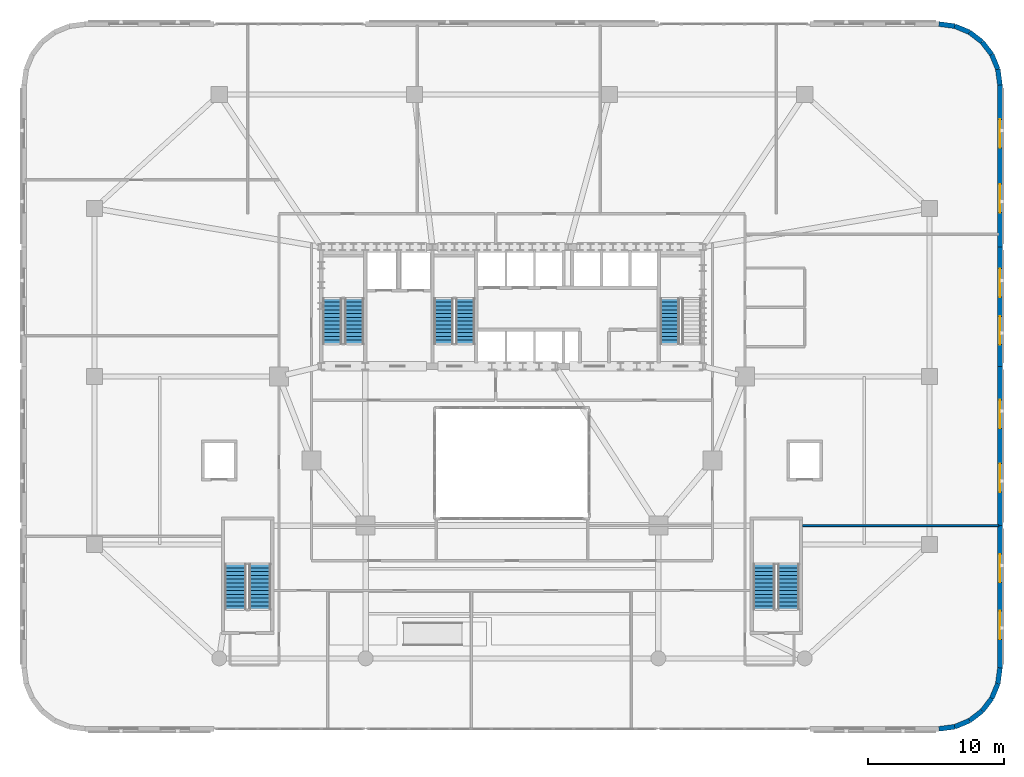
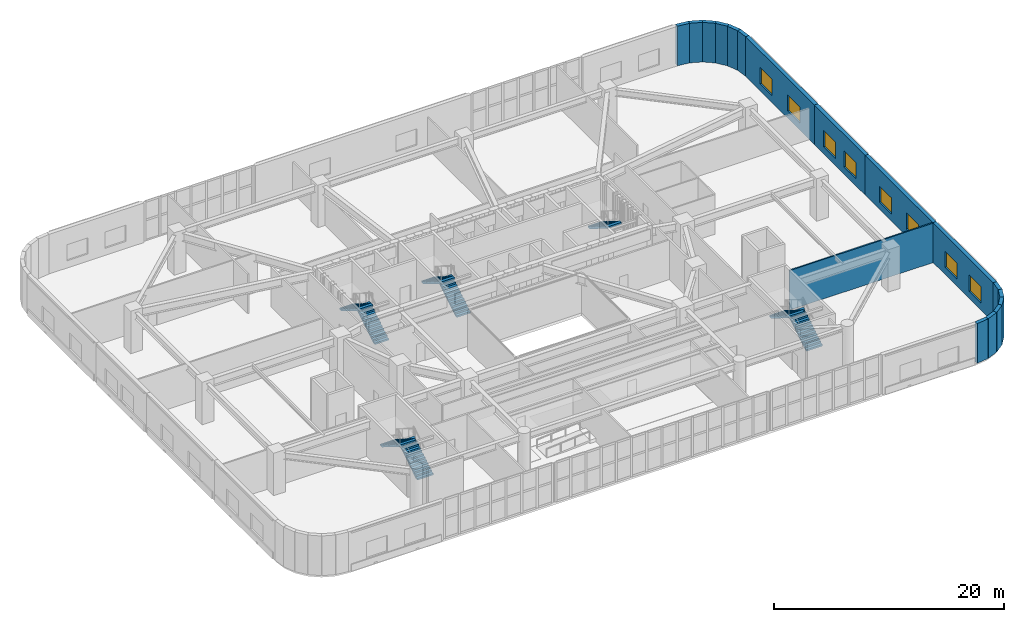
# One storey, part 17 of 25: 17 walls, 9 stair flights, 8 windows, 8 openings, 5 elements without a shape of their own.
"""IFC4 building model written with IfcOpenShell, lengths in metres."""

from ifc_helpers import new_model, si_unit, direction, frame, frame_2d, origin, place, context, subcontext, project, spatial, polyline, rectangle, outline, extrude, material, layer, layer_set, type_object, element, fill, aggregate, save


model = new_model("IFC4")

# Units and contexts
model_context = context("Model", 3, precision=1e-05, world=origin(), true_north=direction((0.0, 1.0)))
body_context = subcontext(model_context, "Body", "Model", "MODEL_VIEW")
ifc_project = project(units=[si_unit("LENGTHUNIT", "METRE"), si_unit("AREAUNIT", "SQUARE_METRE"), si_unit("VOLUMEUNIT", "CUBIC_METRE"), si_unit("PLANEANGLEUNIT", "RADIAN"), si_unit("MASSUNIT", "GRAM", prefix="KILO")], contexts=[model_context])

# Site, building, storey
site_placement = place(None, origin())
site = spatial("IfcSite", under=ifc_project, at=site_placement, CompositionType="ELEMENT")
building_placement = place(site_placement, origin())
building = spatial("IfcBuilding", under=site, at=building_placement, Name="Haldorwick Loom Tower", CompositionType="ELEMENT")
storey_placement = place(building_placement, frame((0.0, 0.0, 6.0)))
storey = spatial("IfcBuildingStorey", under=building, at=storey_placement, Name="L01", CompositionType="ELEMENT", Elevation=6.0)

# Walls
ifc_material_1 = material(Name="Pressed Clay Face Brick and Insulated Masonry Backup Assembly", Category="masonry")
ifc_layer_1 = layer(ifc_material_1, 0.360107421875, Name="Pressed Clay Face Brick and Insulated Masonry Backup Assembly", Category="masonry")
ifc_layer_set_1 = layer_set([ifc_layer_1], Name="Pressed Clay Face Brick and Insulated Masonry Backup Assembly")
wall_type_1 = type_object("IfcWallType", Name="ARC-WL-EXT360", PredefinedType="STANDARD", material=ifc_layer_set_1)
wall_1_placement = place(storey_placement, frame((67.5, 0.0, 0.0), z_axis=(0.0, 0.0, 1.0), x_axis=(0.991447928588, 0.130502892298, 0.0)))
element("IfcWall", 1, at=wall_1_placement, inside=storey, type_object=wall_type_1, Name="L01 Brick Pier and Spandrel Wall 1", PredefinedType="STANDARD", context=body_context, shape_type="SweptSolid", body=[
    extrude(rectangle(XDim=1.1748046875, YDim=0.360107421875, at=frame_2d((0.58740234375, 0.0))), origin(), (0.0, 0.0, 1.0), 4.199951171875),
])
wall_2_placement = place(storey_placement, frame((68.664794921875, 0.1533203125, 0.0), z_axis=(0.0, 0.0, 1.0), x_axis=(0.923892706888, 0.382651625058, 0.0)))
element("IfcWall", 2, at=wall_2_placement, inside=storey, type_object=wall_type_1, Name="L01 Brick Pier and Spandrel Wall 2", PredefinedType="STANDARD", context=body_context, shape_type="SweptSolid", body=[
    extrude(rectangle(XDim=1.174560546875, YDim=0.360107421875, at=frame_2d((0.58740234375, 0.0))), origin(), (0.0, 0.0, 1.0), 4.199951171875),
])
for number, where, z_axis, x_axis, name in (
    (3, (69.75, 0.602783203125, 0.0), (0.0, 0.0, 1.0), (0.79324162823, 0.60890698735, 0.0), "L01 Brick Pier and Spandrel Wall 3"),
    (4, (70.681884765625, 1.318115234375, 0.0), (0.0, 0.0, 1.0), (0.60890698735, 0.79324162823, 0.0), "L01 Brick Pier and Spandrel Wall 4"),
):
    element("IfcWall", number, at=place(storey_placement, frame(where, z_axis=z_axis, x_axis=x_axis)), inside=storey, type_object=wall_type_1, Name=name, PredefinedType="STANDARD", context=body_context, shape_type="SweptSolid", body=[
        extrude(rectangle(XDim=1.1748046875, YDim=0.360107421875, at=frame_2d((0.58740234375, 0.0))), origin(), (0.0, 0.0, 1.0), 4.199951171875),
    ])
wall_3_placement = place(storey_placement, frame((71.397216796875, 2.25, 0.0), z_axis=(0.0, 0.0, 1.0), x_axis=(0.382651625058, 0.923892706888, 0.0)))
element("IfcWall", 5, at=wall_3_placement, inside=storey, type_object=wall_type_1, Name="L01 Brick Pier and Spandrel Wall 5", PredefinedType="STANDARD", context=body_context, shape_type="SweptSolid", body=[
    extrude(rectangle(XDim=1.174560546875, YDim=0.360107421875, at=frame_2d((0.58740234375, 0.0))), origin(), (0.0, 0.0, 1.0), 4.199951171875),
])
wall_4_placement = place(storey_placement, frame((71.8466796875, 3.335205078125, 0.0), z_axis=(0.0, 0.0, 1.0), x_axis=(0.130502892298, 0.991447928588, 0.0)))
element("IfcWall", 6, at=wall_4_placement, inside=storey, type_object=wall_type_1, Name="L01 Brick Pier and Spandrel Wall 6", PredefinedType="STANDARD", context=body_context, shape_type="SweptSolid", body=[
    extrude(rectangle(XDim=1.1748046875, YDim=0.360107421875, at=frame_2d((0.58740234375, 0.0))), origin(), (0.0, 0.0, 1.0), 4.199951171875),
])

# Wall, openings, windows
wall_5_placement = place(storey_placement, frame((72.0, 4.5, 0.0), z_axis=(0.0, 0.0, 1.0), x_axis=(0.0, 1.0, 0.0)))
wall_5 = element("IfcWall", 7, at=wall_5_placement, inside=storey, type_object=wall_type_1, Name="L01 Brick Pier and Spandrel Wall 7", PredefinedType="STANDARD", context=body_context, shape_type="SweptSolid", body=[
    extrude(rectangle(XDim=10.5, YDim=0.360107421875, at=frame_2d((5.25, 0.0))), origin(), (0.0, 0.0, 1.0), 4.199951171875),
])
opening_1_placement = place(wall_5_placement, frame((2.10009765625, 0.0, 0.75)))
opening_1 = element("IfcOpeningElement", 8, at=opening_1_placement, cuts=wall_5, Name="Opening W-04", PredefinedType="OPENING", context=body_context, shape_type="SweptSolid", body=[
    extrude(rectangle(XDim=2.10009765625, YDim=1.719970703125, at=frame_2d((1.050048828125, 0.85986328125))), frame((0.0, 0.18994140625, 0.0), z_axis=(0.0, -1.0, 0.0), x_axis=(1.0, 0.0, 0.0)), (0.0, 0.0, 1.0), 0.380126953125),
])
opening_2_placement = place(wall_5_placement, frame((6.300048828125, 0.0, 0.75)))
opening_2 = element("IfcOpeningElement", 9, at=opening_2_placement, cuts=wall_5, Name="Opening W-04", PredefinedType="OPENING", context=body_context, shape_type="SweptSolid", body=[
    extrude(rectangle(XDim=2.10009765625, YDim=1.719970703125, at=frame_2d((1.050048828125, 0.85986328125))), frame((0.0, 0.18994140625, 0.0), z_axis=(0.0, -1.0, 0.0), x_axis=(1.0, 0.0, 0.0)), (0.0, 0.0, 1.0), 0.380126953125),
])
ifc_material_2 = material(Name="Triple-Glazed Low-E Argon Insulated Glazing Unit", Category="glass")
window_type = type_object("IfcWindowType", Name="ARC-WIN-W210", PartitioningType="SINGLE_PANEL", PredefinedType="WINDOW", material=ifc_material_2)
window_1_placement = place(opening_1_placement, origin())
window_1 = element("IfcWindow", 10, at=window_1_placement, inside=storey, type_object=window_type, Name="L01 Deep-Set Zone 7A Window 7", OverallHeight=1.719970703125, OverallWidth=2.10009765625, PartitioningType="SINGLE_PANEL", PredefinedType="WINDOW", context=body_context, shape_type="SweptSolid", body=[
    extrude(rectangle(XDim=2.10009765625, YDim=1.719970703125, at=frame_2d((1.050048828125, 0.85986328125))), frame((0.0, 0.030029296875, 0.0), z_axis=(0.0, -1.0, 0.0), x_axis=(1.0, 0.0, 0.0)), (0.0, 0.0, 1.0), 0.06005859375),
])
fill(opening_1, window_1)
window_2_placement = place(opening_2_placement, origin())
window_2 = element("IfcWindow", 11, at=window_2_placement, inside=storey, type_object=window_type, Name="L01 Deep-Set Zone 7A Window 7", OverallHeight=1.719970703125, OverallWidth=2.10009765625, PartitioningType="SINGLE_PANEL", PredefinedType="WINDOW", context=body_context, shape_type="SweptSolid", body=[
    extrude(rectangle(XDim=2.10009765625, YDim=1.719970703125, at=frame_2d((1.050048828125, 0.85986328125))), frame((0.0, 0.030029296875, 0.0), z_axis=(0.0, -1.0, 0.0), x_axis=(1.0, 0.0, 0.0)), (0.0, 0.0, 1.0), 0.06005859375),
])
fill(opening_2, window_2)

wall_6_placement = place(storey_placement, frame((72.0, 15.0, 0.0), z_axis=(0.0, 0.0, 1.0), x_axis=(0.0, 1.0, 0.0)))
wall_6 = element("IfcWall", 12, at=wall_6_placement, inside=storey, type_object=wall_type_1, Name="L01 Brick Pier and Spandrel Wall 8", PredefinedType="STANDARD", context=body_context, shape_type="SweptSolid", body=[
    extrude(rectangle(XDim=11.75, YDim=0.360107421875, at=frame_2d((5.875, 0.0))), origin(), (0.0, 0.0, 1.0), 4.199951171875),
])
opening_3_placement = place(wall_6_placement, frame((2.47509765625, 0.0, 0.75)))
opening_3 = element("IfcOpeningElement", 13, at=opening_3_placement, cuts=wall_6, Name="Opening W-04", PredefinedType="OPENING", context=body_context, shape_type="SweptSolid", body=[
    extrude(rectangle(XDim=2.10009765625, YDim=1.719970703125, at=frame_2d((1.050048828125, 0.85986328125))), frame((0.0, 0.18994140625, 0.0), z_axis=(0.0, -1.0, 0.0), x_axis=(1.0, 0.0, 0.0)), (0.0, 0.0, 1.0), 0.380126953125),
])
opening_4_placement = place(wall_6_placement, frame((7.175048828125, 0.0, 0.75)))
opening_4 = element("IfcOpeningElement", 14, at=opening_4_placement, cuts=wall_6, Name="Opening W-04", PredefinedType="OPENING", context=body_context, shape_type="SweptSolid", body=[
    extrude(rectangle(XDim=2.10009765625, YDim=1.719970703125, at=frame_2d((1.050048828125, 0.85986328125))), frame((0.0, 0.18994140625, 0.0), z_axis=(0.0, -1.0, 0.0), x_axis=(1.0, 0.0, 0.0)), (0.0, 0.0, 1.0), 0.380126953125),
])
window_3_placement = place(opening_3_placement, origin())
window_3 = element("IfcWindow", 15, at=window_3_placement, inside=storey, type_object=window_type, Name="L01 Deep-Set Zone 7A Window 8", OverallHeight=1.719970703125, OverallWidth=2.10009765625, PartitioningType="SINGLE_PANEL", PredefinedType="WINDOW", context=body_context, shape_type="SweptSolid", body=[
    extrude(rectangle(XDim=2.10009765625, YDim=1.719970703125, at=frame_2d((1.050048828125, 0.85986328125))), frame((0.0, 0.030029296875, 0.0), z_axis=(0.0, -1.0, 0.0), x_axis=(1.0, 0.0, 0.0)), (0.0, 0.0, 1.0), 0.06005859375),
])
fill(opening_3, window_3)
window_4_placement = place(opening_4_placement, origin())
window_4 = element("IfcWindow", 16, at=window_4_placement, inside=storey, type_object=window_type, Name="L01 Deep-Set Zone 7A Window 8", OverallHeight=1.719970703125, OverallWidth=2.10009765625, PartitioningType="SINGLE_PANEL", PredefinedType="WINDOW", context=body_context, shape_type="SweptSolid", body=[
    extrude(rectangle(XDim=2.10009765625, YDim=1.719970703125, at=frame_2d((1.050048828125, 0.85986328125))), frame((0.0, 0.030029296875, 0.0), z_axis=(0.0, -1.0, 0.0), x_axis=(1.0, 0.0, 0.0)), (0.0, 0.0, 1.0), 0.06005859375),
])
fill(opening_4, window_4)

wall_7_placement = place(storey_placement, frame((72.0, 26.75, 0.0), z_axis=(0.0, 0.0, 1.0), x_axis=(0.0, 1.0, 0.0)))
wall_7 = element("IfcWall", 17, at=wall_7_placement, inside=storey, type_object=wall_type_1, Name="L01 Brick Pier and Spandrel Wall 9", PredefinedType="STANDARD", context=body_context, shape_type="SweptSolid", body=[
    extrude(rectangle(XDim=8.800048828125, YDim=0.360107421875, at=frame_2d((4.39990234375, 0.0))), origin(), (0.0, 0.0, 1.0), 4.199951171875),
])
opening_5_placement = place(wall_7_placement, frame((1.590087890625, 0.0, 0.75)))
opening_5 = element("IfcOpeningElement", 18, at=opening_5_placement, cuts=wall_7, Name="Opening W-04", PredefinedType="OPENING", context=body_context, shape_type="SweptSolid", body=[
    extrude(rectangle(XDim=2.10009765625, YDim=1.719970703125, at=frame_2d((1.050048828125, 0.85986328125))), frame((0.0, 0.18994140625, 0.0), z_axis=(0.0, -1.0, 0.0), x_axis=(1.0, 0.0, 0.0)), (0.0, 0.0, 1.0), 0.380126953125),
])
opening_6_placement = place(wall_7_placement, frame((5.110107421875, 0.0, 0.75)))
opening_6 = element("IfcOpeningElement", 19, at=opening_6_placement, cuts=wall_7, Name="Opening W-04", PredefinedType="OPENING", context=body_context, shape_type="SweptSolid", body=[
    extrude(rectangle(XDim=2.10009765625, YDim=1.719970703125, at=frame_2d((1.050048828125, 0.85986328125))), frame((0.0, 0.18994140625, 0.0), z_axis=(0.0, -1.0, 0.0), x_axis=(1.0, 0.0, 0.0)), (0.0, 0.0, 1.0), 0.380126953125),
])
window_5_placement = place(opening_5_placement, origin())
window_5 = element("IfcWindow", 20, at=window_5_placement, inside=storey, type_object=window_type, Name="L01 Deep-Set Zone 7A Window 9", OverallHeight=1.719970703125, OverallWidth=2.10009765625, PartitioningType="SINGLE_PANEL", PredefinedType="WINDOW", context=body_context, shape_type="SweptSolid", body=[
    extrude(rectangle(XDim=2.10009765625, YDim=1.719970703125, at=frame_2d((1.050048828125, 0.85986328125))), frame((0.0, 0.030029296875, 0.0), z_axis=(0.0, -1.0, 0.0), x_axis=(1.0, 0.0, 0.0)), (0.0, 0.0, 1.0), 0.06005859375),
])
fill(opening_5, window_5)
window_6_placement = place(opening_6_placement, origin())
window_6 = element("IfcWindow", 21, at=window_6_placement, inside=storey, type_object=window_type, Name="L01 Deep-Set Zone 7A Window 9", OverallHeight=1.719970703125, OverallWidth=2.10009765625, PartitioningType="SINGLE_PANEL", PredefinedType="WINDOW", context=body_context, shape_type="SweptSolid", body=[
    extrude(rectangle(XDim=2.10009765625, YDim=1.719970703125, at=frame_2d((1.050048828125, 0.85986328125))), frame((0.0, 0.030029296875, 0.0), z_axis=(0.0, -1.0, 0.0), x_axis=(1.0, 0.0, 0.0)), (0.0, 0.0, 1.0), 0.06005859375),
])
fill(opening_6, window_6)

wall_8_placement = place(storey_placement, frame((72.0, 35.550048828125, 0.0), z_axis=(0.0, 0.0, 1.0), x_axis=(0.0, 1.0, 0.0)))
wall_8 = element("IfcWall", 22, at=wall_8_placement, inside=storey, type_object=wall_type_1, Name="L01 Brick Pier and Spandrel Wall 10", PredefinedType="STANDARD", context=body_context, shape_type="SweptSolid", body=[
    extrude(rectangle(XDim=11.949951171875, YDim=0.360107421875, at=frame_2d((5.97509765625, 0.0))), origin(), (0.0, 0.0, 1.0), 4.199951171875),
])
opening_7_placement = place(wall_8_placement, frame((2.534912109375, 0.0, 0.75)))
opening_7 = element("IfcOpeningElement", 23, at=opening_7_placement, cuts=wall_8, Name="Opening W-04", PredefinedType="OPENING", context=body_context, shape_type="SweptSolid", body=[
    extrude(rectangle(XDim=2.10009765625, YDim=1.719970703125, at=frame_2d((1.050048828125, 0.85986328125))), frame((0.0, 0.18994140625, 0.0), z_axis=(0.0, -1.0, 0.0), x_axis=(1.0, 0.0, 0.0)), (0.0, 0.0, 1.0), 0.380126953125),
])
opening_8_placement = place(wall_8_placement, frame((7.31494140625, 0.0, 0.75)))
opening_8 = element("IfcOpeningElement", 24, at=opening_8_placement, cuts=wall_8, Name="Opening W-04", PredefinedType="OPENING", context=body_context, shape_type="SweptSolid", body=[
    extrude(rectangle(XDim=2.10009765625, YDim=1.719970703125, at=frame_2d((1.050048828125, 0.85986328125))), frame((0.0, 0.18994140625, 0.0), z_axis=(0.0, -1.0, 0.0), x_axis=(1.0, 0.0, 0.0)), (0.0, 0.0, 1.0), 0.380126953125),
])
window_7_placement = place(opening_7_placement, origin())
window_7 = element("IfcWindow", 25, at=window_7_placement, inside=storey, type_object=window_type, Name="L01 Deep-Set Zone 7A Window 10", OverallHeight=1.719970703125, OverallWidth=2.10009765625, PartitioningType="SINGLE_PANEL", PredefinedType="WINDOW", context=body_context, shape_type="SweptSolid", body=[
    extrude(rectangle(XDim=2.10009765625, YDim=1.719970703125, at=frame_2d((1.050048828125, 0.85986328125))), frame((0.0, 0.030029296875, 0.0), z_axis=(0.0, -1.0, 0.0), x_axis=(1.0, 0.0, 0.0)), (0.0, 0.0, 1.0), 0.06005859375),
])
fill(opening_7, window_7)
window_8_placement = place(opening_8_placement, origin())
window_8 = element("IfcWindow", 26, at=window_8_placement, inside=storey, type_object=window_type, Name="L01 Deep-Set Zone 7A Window 10", OverallHeight=1.719970703125, OverallWidth=2.10009765625, PartitioningType="SINGLE_PANEL", PredefinedType="WINDOW", context=body_context, shape_type="SweptSolid", body=[
    extrude(rectangle(XDim=2.10009765625, YDim=1.719970703125, at=frame_2d((1.050048828125, 0.85986328125))), frame((0.0, 0.030029296875, 0.0), z_axis=(0.0, -1.0, 0.0), x_axis=(1.0, 0.0, 0.0)), (0.0, 0.0, 1.0), 0.06005859375),
])
fill(opening_8, window_8)

# Walls
wall_9_placement = place(storey_placement, frame((72.0, 47.5, 0.0), z_axis=(0.0, 0.0, 1.0), x_axis=(-0.130502892298, 0.991447928588, 0.0)))
element("IfcWall", 27, at=wall_9_placement, inside=storey, type_object=wall_type_1, Name="L01 Brick Pier and Spandrel Wall 11", PredefinedType="STANDARD", context=body_context, shape_type="SweptSolid", body=[
    extrude(rectangle(XDim=1.1748046875, YDim=0.360107421875, at=frame_2d((0.58740234375, 0.0))), origin(), (0.0, 0.0, 1.0), 4.199951171875),
])
wall_10_placement = place(storey_placement, frame((71.8466796875, 48.664794921875, 0.0), z_axis=(0.0, 0.0, 1.0), x_axis=(-0.382651625058, 0.923892706888, 0.0)))
element("IfcWall", 28, at=wall_10_placement, inside=storey, type_object=wall_type_1, Name="L01 Brick Pier and Spandrel Wall 12", PredefinedType="STANDARD", context=body_context, shape_type="SweptSolid", body=[
    extrude(rectangle(XDim=1.174560546875, YDim=0.360107421875, at=frame_2d((0.58740234375, 0.0))), origin(), (0.0, 0.0, 1.0), 4.199951171875),
])
for number, where, z_axis, x_axis, name in (
    (29, (71.397216796875, 49.75, 0.0), (0.0, 0.0, 1.0), (-0.60890698735, 0.79324162823, 0.0), "L01 Brick Pier and Spandrel Wall 13"),
    (30, (70.681884765625, 50.681884765625, 0.0), (0.0, 0.0, 1.0), (-0.79324162823, 0.60890698735, 0.0), "L01 Brick Pier and Spandrel Wall 14"),
):
    element("IfcWall", number, at=place(storey_placement, frame(where, z_axis=z_axis, x_axis=x_axis)), inside=storey, type_object=wall_type_1, Name=name, PredefinedType="STANDARD", context=body_context, shape_type="SweptSolid", body=[
        extrude(rectangle(XDim=1.1748046875, YDim=0.360107421875, at=frame_2d((0.58740234375, 0.0))), origin(), (0.0, 0.0, 1.0), 4.199951171875),
    ])
wall_11_placement = place(storey_placement, frame((69.75, 51.397216796875, 0.0), z_axis=(0.0, 0.0, 1.0), x_axis=(-0.923892706888, 0.382651625058, 0.0)))
element("IfcWall", 31, at=wall_11_placement, inside=storey, type_object=wall_type_1, Name="L01 Brick Pier and Spandrel Wall 15", PredefinedType="STANDARD", context=body_context, shape_type="SweptSolid", body=[
    extrude(rectangle(XDim=1.174560546875, YDim=0.360107421875, at=frame_2d((0.58740234375, 0.0))), origin(), (0.0, 0.0, 1.0), 4.199951171875),
])
wall_12_placement = place(storey_placement, frame((68.664794921875, 51.8466796875, 0.0), z_axis=(0.0, 0.0, 1.0), x_axis=(-0.991447928588, 0.130502892298, 0.0)))
element("IfcWall", 32, at=wall_12_placement, inside=storey, type_object=wall_type_1, Name="L01 Brick Pier and Spandrel Wall 16", PredefinedType="STANDARD", context=body_context, shape_type="SweptSolid", body=[
    extrude(rectangle(XDim=1.1748046875, YDim=0.360107421875, at=frame_2d((0.58740234375, 0.0))), origin(), (0.0, 0.0, 1.0), 4.199951171875),
])
ifc_material_3 = material(Name="Fire-Rated Type X Gypsum Stud Assembly EI 60")
ifc_layer_2 = layer(ifc_material_3, 0.139892578125, Name="Fire-Rated Type X Gypsum Stud Assembly EI 60")
ifc_layer_set_2 = layer_set([ifc_layer_2], Name="Fire-Rated Type X Gypsum Stud Assembly EI 60")
wall_type_2 = type_object("IfcWallType", Name="ARC-WL-PART140", PredefinedType="PARTITIONING", material=ifc_layer_set_2)
wall_13_placement = place(storey_placement, frame((57.443115234375, 15.0, 0.0), z_axis=(0.0, 0.0, 1.0), x_axis=(1.0, 0.0, 0.0)))
element("IfcWall", 33, at=wall_13_placement, inside=storey, type_object=wall_type_2, Name="L01 Podium Partition L01-PE-0", PredefinedType="PARTITIONING", context=body_context, shape_type="SweptSolid", body=[
    extrude(rectangle(XDim=14.456787109375, YDim=0.139892578125, at=frame_2d((7.228515625, 0.0))), origin(), (0.0, 0.0, 1.0), 4.18505859375),
])

# Stair, stair flights
ifc_material_4 = material(Name="Concrete C40 (40 MPa)", Category="concrete")
stair_type_1 = type_object("IfcStairType", Name="STR-STR-CORE", PredefinedType="HALF_TURN_STAIR", material=ifc_material_4)
stair_1_placement = place(storey_placement, origin())
stair_1 = element("IfcStair", 34, at=stair_1_placement, inside=storey, type_object=stair_type_1, Name="L01 Exit Stair ST-01", PredefinedType="HALF_TURN_STAIR")
stair_flight_type_1 = type_object("IfcStairFlightType", Name="STR-STF-1250", PredefinedType="STRAIGHT", material=ifc_material_4)
stair_flight_1_placement = place(storey_placement, frame((24.35009765625, 28.39990234375, 0.0), z_axis=(0.0, 0.0, 1.0), x_axis=(0.0, 1.0, 0.0)))
stair_flight_1 = element("IfcStairFlight", 35, at=stair_flight_1_placement, type_object=stair_flight_type_1, Name="ST-01 flight 1", NumberOfRisers=13, NumberOfTreads=12, PredefinedType="STRAIGHT", RiserHeight=0.173076923, TreadLength=0.28, context=body_context, shape_type="SweptSolid", body=[
    extrude(outline(polyline([(0.0, 0.0), (0.0, 0.173095703125), (0.280029296875, 0.173095703125), (0.280029296875, 0.34619140625), (0.56005859375, 0.34619140625), (0.56005859375, 0.519287109375), (0.840087890625, 0.519287109375), (0.840087890625, 0.6923828125), (1.1201171875, 0.6923828125), (1.1201171875, 0.865478515625), (1.39990234375, 0.865478515625), (1.39990234375, 1.03857421875), (1.679931640625, 1.03857421875), (1.679931640625, 1.21142578125), (1.9599609375, 1.21142578125), (1.9599609375, 1.384521484375), (2.239990234375, 1.384521484375), (2.239990234375, 1.5576171875), (2.52001953125, 1.5576171875), (2.52001953125, 1.730712890625), (2.800048828125, 1.730712890625), (2.800048828125, 1.90380859375), (3.080078125, 1.90380859375), (3.080078125, 2.076904296875), (3.360107421875, 2.076904296875), (3.360107421875, 2.25), (3.360107421875, 1.900634765625), (0.28515625, 0.0), (0.0, 0.0)])), frame((0.0, 0.699951171875, 0.0), z_axis=(0.0, -1.0, 0.0), x_axis=(1.0, 0.0, 0.0)), (0.0, 0.0, 1.0), 1.39990234375),
])
stair_flight_2_placement = place(storey_placement, frame((22.75, 31.760009765625, 2.25), z_axis=(0.0, 0.0, 1.0), x_axis=(0.0, -1.0, 0.0)))
stair_flight_2 = element("IfcStairFlight", 36, at=stair_flight_2_placement, type_object=stair_flight_type_1, Name="ST-01 flight 2", NumberOfRisers=13, NumberOfTreads=12, PredefinedType="STRAIGHT", RiserHeight=0.173076923, TreadLength=0.28, context=body_context, shape_type="SweptSolid", body=[
    extrude(outline(polyline([(0.0, 0.0), (0.0, 0.173095703125), (0.280029296875, 0.173095703125), (0.280029296875, 0.34619140625), (0.56005859375, 0.34619140625), (0.56005859375, 0.519287109375), (0.840087890625, 0.519287109375), (0.840087890625, 0.6923828125), (1.1201171875, 0.6923828125), (1.1201171875, 0.865478515625), (1.39990234375, 0.865478515625), (1.39990234375, 1.03857421875), (1.679931640625, 1.03857421875), (1.679931640625, 1.21142578125), (1.9599609375, 1.21142578125), (1.9599609375, 1.384521484375), (2.239990234375, 1.384521484375), (2.239990234375, 1.5576171875), (2.52001953125, 1.5576171875), (2.52001953125, 1.730712890625), (2.800048828125, 1.730712890625), (2.800048828125, 1.90380859375), (3.080078125, 1.90380859375), (3.080078125, 2.076904296875), (3.360107421875, 2.076904296875), (3.360107421875, 2.25), (3.360107421875, 1.900634765625), (0.28515625, 0.0), (0.0, 0.0)])), frame((0.0, 0.699951171875, 0.0), z_axis=(0.0, -1.0, 0.0), x_axis=(1.0, 0.0, 0.0)), (0.0, 0.0, 1.0), 1.39990234375),
])
aggregate(stair_1, [stair_flight_1, stair_flight_2])

# Stair, stair flight
stair_2_placement = place(storey_placement, origin())
stair_2 = element("IfcStair", 37, at=stair_2_placement, inside=storey, type_object=stair_type_1, Name="L01 Exit Stair ST-02", PredefinedType="HALF_TURN_STAIR")
stair_flight_3_placement = place(storey_placement, frame((47.64990234375, 31.760009765625, 2.25), z_axis=(0.0, 0.0, 1.0), x_axis=(0.0, -1.0, 0.0)))
stair_flight_3 = element("IfcStairFlight", 38, at=stair_flight_3_placement, type_object=stair_flight_type_1, Name="ST-02 flight 2", NumberOfRisers=13, NumberOfTreads=12, PredefinedType="STRAIGHT", RiserHeight=0.173076923, TreadLength=0.28, context=body_context, shape_type="SweptSolid", body=[
    extrude(outline(polyline([(0.0, 0.0), (0.0, 0.173095703125), (0.280029296875, 0.173095703125), (0.280029296875, 0.34619140625), (0.56005859375, 0.34619140625), (0.56005859375, 0.519287109375), (0.840087890625, 0.519287109375), (0.840087890625, 0.6923828125), (1.1201171875, 0.6923828125), (1.1201171875, 0.865478515625), (1.39990234375, 0.865478515625), (1.39990234375, 1.03857421875), (1.679931640625, 1.03857421875), (1.679931640625, 1.21142578125), (1.9599609375, 1.21142578125), (1.9599609375, 1.384521484375), (2.239990234375, 1.384521484375), (2.239990234375, 1.5576171875), (2.52001953125, 1.5576171875), (2.52001953125, 1.730712890625), (2.800048828125, 1.730712890625), (2.800048828125, 1.90380859375), (3.080078125, 1.90380859375), (3.080078125, 2.076904296875), (3.360107421875, 2.076904296875), (3.360107421875, 2.25), (3.360107421875, 1.900634765625), (0.28515625, 0.0), (0.0, 0.0)])), frame((0.0, 0.699951171875, 0.0), z_axis=(0.0, -1.0, 0.0), x_axis=(1.0, 0.0, 0.0)), (0.0, 0.0, 1.0), 1.39990234375),
])
aggregate(stair_2, [stair_flight_3])

# Stair, stair flights
stair_3_placement = place(storey_placement, origin())
stair_3 = element("IfcStair", 39, at=stair_3_placement, inside=storey, type_object=stair_type_1, Name="L01 Exit Stair ST-03", PredefinedType="HALF_TURN_STAIR")
stair_flight_4_placement = place(storey_placement, frame((32.550048828125, 28.39990234375, 0.0), z_axis=(0.0, 0.0, 1.0), x_axis=(0.0, 1.0, 0.0)))
stair_flight_4 = element("IfcStairFlight", 40, at=stair_flight_4_placement, type_object=stair_flight_type_1, Name="ST-03 flight 1", NumberOfRisers=13, NumberOfTreads=12, PredefinedType="STRAIGHT", RiserHeight=0.173076923, TreadLength=0.28, context=body_context, shape_type="SweptSolid", body=[
    extrude(outline(polyline([(0.0, 0.0), (0.0, 0.173095703125), (0.280029296875, 0.173095703125), (0.280029296875, 0.34619140625), (0.56005859375, 0.34619140625), (0.56005859375, 0.519287109375), (0.840087890625, 0.519287109375), (0.840087890625, 0.6923828125), (1.1201171875, 0.6923828125), (1.1201171875, 0.865478515625), (1.39990234375, 0.865478515625), (1.39990234375, 1.03857421875), (1.679931640625, 1.03857421875), (1.679931640625, 1.21142578125), (1.9599609375, 1.21142578125), (1.9599609375, 1.384521484375), (2.239990234375, 1.384521484375), (2.239990234375, 1.5576171875), (2.52001953125, 1.5576171875), (2.52001953125, 1.730712890625), (2.800048828125, 1.730712890625), (2.800048828125, 1.90380859375), (3.080078125, 1.90380859375), (3.080078125, 2.076904296875), (3.360107421875, 2.076904296875), (3.360107421875, 2.25), (3.360107421875, 1.900634765625), (0.28515625, 0.0), (0.0, 0.0)])), frame((0.0, 0.699951171875, 0.0), z_axis=(0.0, -1.0, 0.0), x_axis=(1.0, 0.0, 0.0)), (0.0, 0.0, 1.0), 1.39990234375),
])
stair_flight_5_placement = place(storey_placement, frame((30.949951171875, 31.760009765625, 2.25), z_axis=(0.0, 0.0, 1.0), x_axis=(0.0, -1.0, 0.0)))
stair_flight_5 = element("IfcStairFlight", 41, at=stair_flight_5_placement, type_object=stair_flight_type_1, Name="ST-03 flight 2", NumberOfRisers=13, NumberOfTreads=12, PredefinedType="STRAIGHT", RiserHeight=0.173076923, TreadLength=0.28, context=body_context, shape_type="SweptSolid", body=[
    extrude(outline(polyline([(0.0, 0.0), (0.0, 0.173095703125), (0.280029296875, 0.173095703125), (0.280029296875, 0.34619140625), (0.56005859375, 0.34619140625), (0.56005859375, 0.519287109375), (0.840087890625, 0.519287109375), (0.840087890625, 0.6923828125), (1.1201171875, 0.6923828125), (1.1201171875, 0.865478515625), (1.39990234375, 0.865478515625), (1.39990234375, 1.03857421875), (1.679931640625, 1.03857421875), (1.679931640625, 1.21142578125), (1.9599609375, 1.21142578125), (1.9599609375, 1.384521484375), (2.239990234375, 1.384521484375), (2.239990234375, 1.5576171875), (2.52001953125, 1.5576171875), (2.52001953125, 1.730712890625), (2.800048828125, 1.730712890625), (2.800048828125, 1.90380859375), (3.080078125, 1.90380859375), (3.080078125, 2.076904296875), (3.360107421875, 2.076904296875), (3.360107421875, 2.25), (3.360107421875, 1.900634765625), (0.28515625, 0.0), (0.0, 0.0)])), frame((0.0, 0.699951171875, 0.0), z_axis=(0.0, -1.0, 0.0), x_axis=(1.0, 0.0, 0.0)), (0.0, 0.0, 1.0), 1.39990234375),
])
aggregate(stair_3, [stair_flight_4, stair_flight_5])

stair_type_2 = type_object("IfcStairType", Name="STR-STR-POD", PredefinedType="HALF_TURN_STAIR", material=ifc_material_4)
stair_4_placement = place(storey_placement, origin())
stair_4 = element("IfcStair", 42, at=stair_4_placement, inside=storey, type_object=stair_type_2, Name="L01 Exit Stair ST-P1", PredefinedType="HALF_TURN_STAIR")
stair_flight_type_2 = type_object("IfcStairFlightType", Name="STR-STF-1450", PredefinedType="STRAIGHT", material=ifc_material_4)
stair_flight_6_placement = place(storey_placement, frame((17.39990234375, 8.800048828125, 0.0), z_axis=(0.0, 0.0, 1.0), x_axis=(0.0, 1.0, 0.0)))
stair_flight_6 = element("IfcStairFlight", 43, at=stair_flight_6_placement, type_object=stair_flight_type_2, Name="ST-P1 flight 1", NumberOfRisers=13, NumberOfTreads=12, PredefinedType="STRAIGHT", RiserHeight=0.173076923, TreadLength=0.28, context=body_context, shape_type="SweptSolid", body=[
    extrude(outline(polyline([(0.0, 0.0), (0.0, 0.173095703125), (0.280029296875, 0.173095703125), (0.280029296875, 0.34619140625), (0.56005859375, 0.34619140625), (0.56005859375, 0.519287109375), (0.840087890625, 0.519287109375), (0.840087890625, 0.6923828125), (1.1201171875, 0.6923828125), (1.1201171875, 0.865478515625), (1.39990234375, 0.865478515625), (1.39990234375, 1.03857421875), (1.679931640625, 1.03857421875), (1.679931640625, 1.21142578125), (1.9599609375, 1.21142578125), (1.9599609375, 1.384521484375), (2.239990234375, 1.384521484375), (2.239990234375, 1.5576171875), (2.52001953125, 1.5576171875), (2.52001953125, 1.730712890625), (2.800048828125, 1.730712890625), (2.800048828125, 1.90380859375), (3.080078125, 1.90380859375), (3.080078125, 2.076904296875), (3.360107421875, 2.076904296875), (3.360107421875, 2.25), (3.360107421875, 1.900634765625), (0.28515625, 0.0), (0.0, 0.0)])), frame((0.0, 0.800048828125, 0.0), z_axis=(0.0, -1.0, 0.0), x_axis=(1.0, 0.0, 0.0)), (0.0, 0.0, 1.0), 1.60009765625),
])
stair_flight_7_placement = place(storey_placement, frame((15.60009765625, 12.159912109375, 2.25), z_axis=(0.0, 0.0, 1.0), x_axis=(0.0, -1.0, 0.0)))
stair_flight_7 = element("IfcStairFlight", 44, at=stair_flight_7_placement, type_object=stair_flight_type_2, Name="ST-P1 flight 2", NumberOfRisers=13, NumberOfTreads=12, PredefinedType="STRAIGHT", RiserHeight=0.173076923, TreadLength=0.28, context=body_context, shape_type="SweptSolid", body=[
    extrude(outline(polyline([(0.0, 0.0), (0.0, 0.173095703125), (0.280029296875, 0.173095703125), (0.280029296875, 0.34619140625), (0.56005859375, 0.34619140625), (0.56005859375, 0.519287109375), (0.840087890625, 0.519287109375), (0.840087890625, 0.6923828125), (1.1201171875, 0.6923828125), (1.1201171875, 0.865478515625), (1.39990234375, 0.865478515625), (1.39990234375, 1.03857421875), (1.679931640625, 1.03857421875), (1.679931640625, 1.21142578125), (1.9599609375, 1.21142578125), (1.9599609375, 1.384521484375), (2.239990234375, 1.384521484375), (2.239990234375, 1.5576171875), (2.52001953125, 1.5576171875), (2.52001953125, 1.730712890625), (2.800048828125, 1.730712890625), (2.800048828125, 1.90380859375), (3.080078125, 1.90380859375), (3.080078125, 2.076904296875), (3.360107421875, 2.076904296875), (3.360107421875, 2.25), (3.360107421875, 1.900634765625), (0.28515625, 0.0), (0.0, 0.0)])), frame((0.0, 0.800048828125, 0.0), z_axis=(0.0, -1.0, 0.0), x_axis=(1.0, 0.0, 0.0)), (0.0, 0.0, 1.0), 1.60009765625),
])
aggregate(stair_4, [stair_flight_6, stair_flight_7])

stair_5_placement = place(storey_placement, origin())
stair_5 = element("IfcStair", 45, at=stair_5_placement, inside=storey, type_object=stair_type_2, Name="L01 Exit Stair ST-P2", PredefinedType="HALF_TURN_STAIR")
stair_flight_8_placement = place(storey_placement, frame((56.39990234375, 8.800048828125, 0.0), z_axis=(0.0, 0.0, 1.0), x_axis=(0.0, 1.0, 0.0)))
stair_flight_8 = element("IfcStairFlight", 46, at=stair_flight_8_placement, type_object=stair_flight_type_2, Name="ST-P2 flight 1", NumberOfRisers=13, NumberOfTreads=12, PredefinedType="STRAIGHT", RiserHeight=0.173076923, TreadLength=0.28, context=body_context, shape_type="SweptSolid", body=[
    extrude(outline(polyline([(0.0, 0.0), (0.0, 0.173095703125), (0.280029296875, 0.173095703125), (0.280029296875, 0.34619140625), (0.56005859375, 0.34619140625), (0.56005859375, 0.519287109375), (0.840087890625, 0.519287109375), (0.840087890625, 0.6923828125), (1.1201171875, 0.6923828125), (1.1201171875, 0.865478515625), (1.39990234375, 0.865478515625), (1.39990234375, 1.03857421875), (1.679931640625, 1.03857421875), (1.679931640625, 1.21142578125), (1.9599609375, 1.21142578125), (1.9599609375, 1.384521484375), (2.239990234375, 1.384521484375), (2.239990234375, 1.5576171875), (2.52001953125, 1.5576171875), (2.52001953125, 1.730712890625), (2.800048828125, 1.730712890625), (2.800048828125, 1.90380859375), (3.080078125, 1.90380859375), (3.080078125, 2.076904296875), (3.360107421875, 2.076904296875), (3.360107421875, 2.25), (3.360107421875, 1.900634765625), (0.28515625, 0.0), (0.0, 0.0)])), frame((0.0, 0.800048828125, 0.0), z_axis=(0.0, -1.0, 0.0), x_axis=(1.0, 0.0, 0.0)), (0.0, 0.0, 1.0), 1.60009765625),
])
stair_flight_9_placement = place(storey_placement, frame((54.60009765625, 12.159912109375, 2.25), z_axis=(0.0, 0.0, 1.0), x_axis=(0.0, -1.0, 0.0)))
stair_flight_9 = element("IfcStairFlight", 47, at=stair_flight_9_placement, type_object=stair_flight_type_2, Name="ST-P2 flight 2", NumberOfRisers=13, NumberOfTreads=12, PredefinedType="STRAIGHT", RiserHeight=0.173076923, TreadLength=0.28, context=body_context, shape_type="SweptSolid", body=[
    extrude(outline(polyline([(0.0, 0.0), (0.0, 0.173095703125), (0.280029296875, 0.173095703125), (0.280029296875, 0.34619140625), (0.56005859375, 0.34619140625), (0.56005859375, 0.519287109375), (0.840087890625, 0.519287109375), (0.840087890625, 0.6923828125), (1.1201171875, 0.6923828125), (1.1201171875, 0.865478515625), (1.39990234375, 0.865478515625), (1.39990234375, 1.03857421875), (1.679931640625, 1.03857421875), (1.679931640625, 1.21142578125), (1.9599609375, 1.21142578125), (1.9599609375, 1.384521484375), (2.239990234375, 1.384521484375), (2.239990234375, 1.5576171875), (2.52001953125, 1.5576171875), (2.52001953125, 1.730712890625), (2.800048828125, 1.730712890625), (2.800048828125, 1.90380859375), (3.080078125, 1.90380859375), (3.080078125, 2.076904296875), (3.360107421875, 2.076904296875), (3.360107421875, 2.25), (3.360107421875, 1.900634765625), (0.28515625, 0.0), (0.0, 0.0)])), frame((0.0, 0.800048828125, 0.0), z_axis=(0.0, -1.0, 0.0), x_axis=(1.0, 0.0, 0.0)), (0.0, 0.0, 1.0), 1.60009765625),
])
aggregate(stair_5, [stair_flight_8, stair_flight_9])

save(model, "model.ifc")
